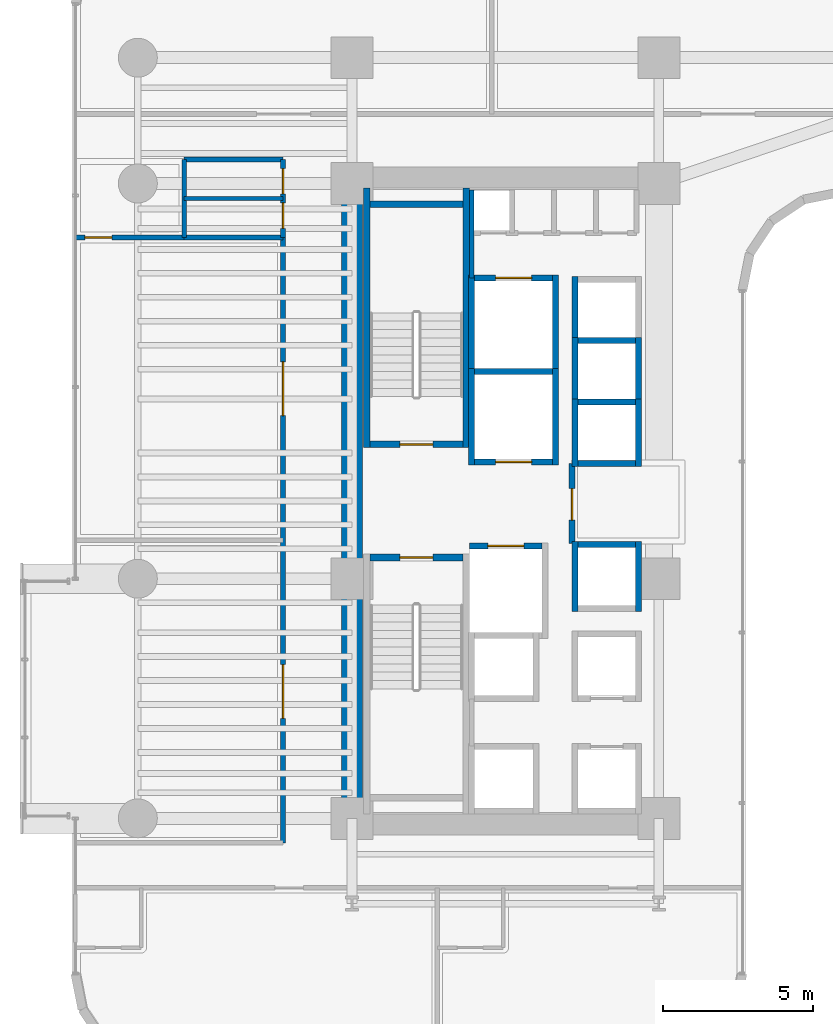
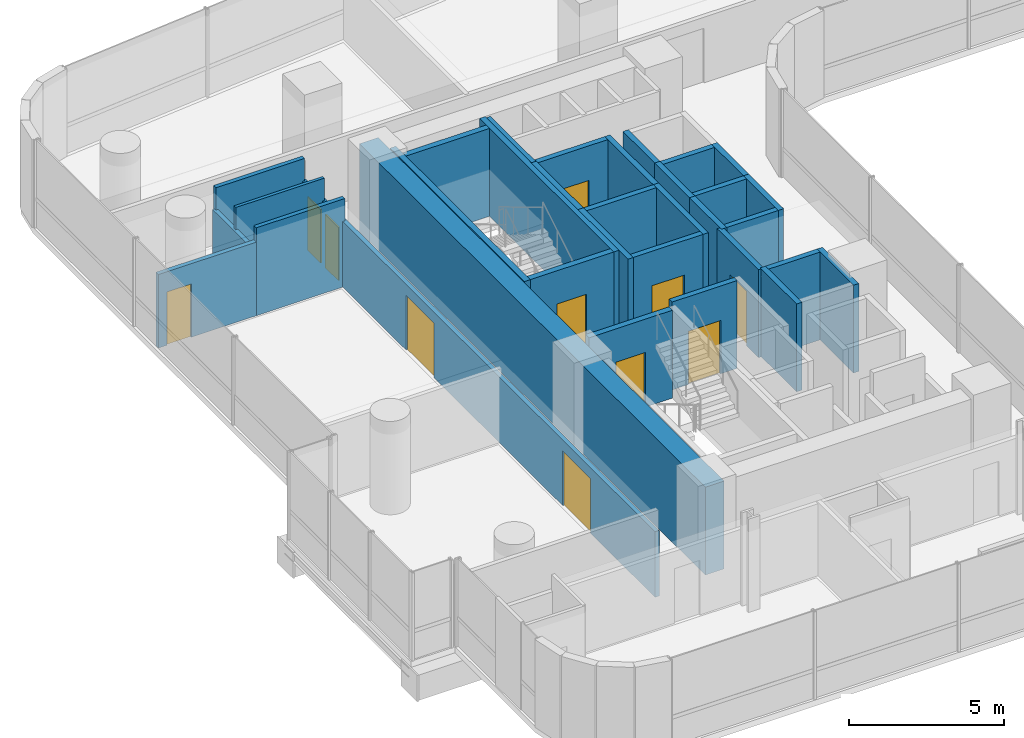
# One storey, part 31 of 41: 34 walls, 11 doors, 11 openings.
"""IFC4 building model written with IfcOpenShell, lengths in metres."""

from ifc_helpers import new_model, si_unit, direction, frame, frame_2d, origin, place, context, subcontext, project, spatial, rectangle, extrude, material, layer, layer_set, type_object, element, fill, save


model = new_model("IFC4")

# Units and contexts
model_context = context("Model", 3, precision=1e-05, world=origin(), true_north=direction((0.0, 1.0)))
body_context = subcontext(model_context, "Body", "Model", "MODEL_VIEW")
ifc_project = project(units=[si_unit("LENGTHUNIT", "METRE"), si_unit("AREAUNIT", "SQUARE_METRE"), si_unit("VOLUMEUNIT", "CUBIC_METRE"), si_unit("PLANEANGLEUNIT", "RADIAN"), si_unit("MASSUNIT", "GRAM", prefix="KILO")], contexts=[model_context])

# Site, building, storey
site_placement = place(None, origin())
site = spatial("IfcSite", under=ifc_project, at=site_placement, CompositionType="ELEMENT")
building_placement = place(site_placement, origin())
building = spatial("IfcBuilding", under=site, at=building_placement, Name="Valdorenza Pilgrim Sanctuary Tower", CompositionType="ELEMENT")
storey_placement = place(building_placement, frame((0.0, 0.0, 63.0)))
storey = spatial("IfcBuildingStorey", under=building, at=storey_placement, Name="L15", CompositionType="ELEMENT", Elevation=63.0)

# Walls
ifc_material_1 = material(Name="Acoustic twin-stud gypsum partition", Category="gypsum")
ifc_layer_1 = layer(ifc_material_1, 0.159912109375, Name="Acoustic twin-stud gypsum partition")
ifc_layer_set_1 = layer_set([ifc_layer_1], Name="Acoustic twin-stud gypsum partition")
wall_type_1 = type_object("IfcWallType", Name="WAL-COR-160", PredefinedType="PARTITIONING", material=ifc_layer_set_1)
wall_1_placement = place(storey_placement, frame((-18.64990234375, 7.449951171875, 0.0), z_axis=(0.0, 0.0, 1.0), x_axis=(0.0, 1.0, 0.0)))
element("IfcWall", 1, at=wall_1_placement, inside=storey, type_object=wall_type_1, Name="L15 Core A North Service West Wall", PredefinedType="PARTITIONING", context=body_context, shape_type="SweptSolid", body=[
    extrude(rectangle(XDim=2.929931640625, YDim=0.159912109375, at=frame_2d((1.46484375, 0.0))), origin(), (0.0, 0.0, 1.0), 3.4599609375),
])
wall_2_placement = place(storey_placement, frame((-28.25, 8.800048828125, 0.0), z_axis=(0.0, 0.0, 1.0), x_axis=(0.0, 1.0, 0.0)))
element("IfcWall", 2, at=wall_2_placement, inside=storey, type_object=wall_type_1, Name="L15 Washroom West Wall", PredefinedType="PARTITIONING", context=body_context, shape_type="SweptSolid", body=[
    extrude(rectangle(XDim=2.599853515625, YDim=0.159912109375, at=frame_2d((1.2998046875, 0.0))), origin(), (0.0, 0.0, 1.0), 2.5830078125),
])

# Wall, openings, doors
wall_3_placement = place(storey_placement, frame((-24.949951171875, 8.800048828125, 0.0), z_axis=(0.0, 0.0, 1.0), x_axis=(0.0, 1.0, 0.0)))
wall_3 = element("IfcWall", 3, at=wall_3_placement, inside=storey, type_object=wall_type_1, Name="L15 Washroom East Wall", PredefinedType="PARTITIONING", context=body_context, shape_type="SweptSolid", body=[
    extrude(rectangle(XDim=2.599853515625, YDim=0.159912109375, at=frame_2d((1.2998046875, 0.0))), origin(), (0.0, 0.0, 1.0), 2.5830078125),
])
opening_1_placement = place(wall_3_placement, frame((0.300048828125, 0.0, 0.0)))
opening_1 = element("IfcOpeningElement", 4, at=opening_1_placement, cuts=wall_3, Name="Opening DR-WC1", PredefinedType="OPENING", context=body_context, shape_type="SweptSolid", body=[
    extrude(rectangle(XDim=0.85009765625, YDim=2.10009765625, at=frame_2d((0.425048828125, 1.050048828125))), frame((0.0, 0.0947265625, 0.0), z_axis=(0.0, -1.0, 0.0), x_axis=(1.0, 0.0, 0.0)), (0.0, 0.0, 1.0), 0.189697265625),
])
opening_2_placement = place(wall_3_placement, frame((1.449951171875, 0.0, 0.0)))
opening_2 = element("IfcOpeningElement", 5, at=opening_2_placement, cuts=wall_3, Name="Opening DR-WC1", PredefinedType="OPENING", context=body_context, shape_type="SweptSolid", body=[
    extrude(rectangle(XDim=0.85009765625, YDim=2.10009765625, at=frame_2d((0.425048828125, 1.050048828125))), frame((0.0, 0.0947265625, 0.0), z_axis=(0.0, -1.0, 0.0), x_axis=(1.0, 0.0, 0.0)), (0.0, 0.0, 1.0), 0.189697265625),
])
ifc_material_2 = material(Name="Moisture-resistant lacquered timber", Category="wood")
door_type_1 = type_object("IfcDoorType", Name="DR-BATH-850", OperationType="NOTDEFINED", PredefinedType="DOOR", material=ifc_material_2)
door_1_placement = place(opening_1_placement, origin())
door_1 = element("IfcDoor", 6, at=door_1_placement, inside=storey, type_object=door_type_1, Name="L15 Accessible Washroom Door", OperationType="SINGLE_SWING_LEFT", OverallHeight=2.10009765625, OverallWidth=0.85009765625, PredefinedType="DOOR", context=body_context, shape_type="SweptSolid", body=[
    extrude(rectangle(XDim=0.85009765625, YDim=2.10009765625, at=frame_2d((0.425048828125, 1.050048828125))), frame((0.0, 0.02490234375, 0.0), z_axis=(0.0, -1.0, 0.0), x_axis=(1.0, 0.0, 0.0)), (0.0, 0.0, 1.0), 0.050048828125),
])
fill(opening_1, door_1)
door_2_placement = place(opening_2_placement, origin())
door_2 = element("IfcDoor", 7, at=door_2_placement, inside=storey, type_object=door_type_1, Name="L15 Public Washroom Door", OperationType="SINGLE_SWING_RIGHT", OverallHeight=2.10009765625, OverallWidth=0.85009765625, PredefinedType="DOOR", context=body_context, shape_type="SweptSolid", body=[
    extrude(rectangle(XDim=0.85009765625, YDim=2.10009765625, at=frame_2d((0.425048828125, 1.050048828125))), frame((0.0, 0.02490234375, 0.0), z_axis=(0.0, -1.0, 0.0), x_axis=(1.0, 0.0, 0.0)), (0.0, 0.0, 1.0), 0.050048828125),
])
fill(opening_2, door_2)

# Walls
for number, where, z_axis, x_axis, name in (
    (8, (-28.25, 8.800048828125, 0.0), (0.0, 0.0, 1.0), (1.0, 0.0, 0.0), "L15 Washroom South Wall"),
    (9, (-28.25, 11.39990234375, 0.0), (0.0, 0.0, 1.0), (1.0, 0.0, 0.0), "L15 Washroom North Wall"),
):
    element("IfcWall", number, at=place(storey_placement, frame(where, z_axis=z_axis, x_axis=x_axis)), inside=storey, type_object=wall_type_1, Name=name, PredefinedType="PARTITIONING", context=body_context, shape_type="SweptSolid", body=[
        extrude(rectangle(XDim=3.300048828125, YDim=0.159912109375, at=frame_2d((1.64990234375, 0.0))), origin(), (0.0, 0.0, 1.0), 3.4599609375),
    ])

# Wall, openings, doors
wall_4_placement = place(storey_placement, frame((-24.949951171875, -11.419921875, 0.0), z_axis=(0.0, 0.0, 1.0), x_axis=(0.0, 1.0, 0.0)))
wall_4 = element("IfcWall", 10, at=wall_4_placement, inside=storey, type_object=wall_type_1, Name="L15 West Wing Corridor Wall", PredefinedType="PARTITIONING", context=body_context, shape_type="SweptSolid", body=[
    extrude(rectangle(XDim=20.219970703125, YDim=0.159912109375, at=frame_2d((10.10986328125, 0.0))), origin(), (0.0, 0.0, 1.0), 2.5830078125),
])
opening_3_placement = place(wall_4_placement, frame((4.155029296875, 0.0, 0.0)))
opening_3 = element("IfcOpeningElement", 11, at=opening_3_placement, cuts=wall_4, Name="Opening DR-HL1", PredefinedType="OPENING", context=body_context, shape_type="SweptSolid", body=[
    extrude(rectangle(XDim=1.800048828125, YDim=2.14990234375, at=frame_2d((0.89990234375, 1.074951171875))), frame((0.0, 0.0947265625, 0.0), z_axis=(0.0, -1.0, 0.0), x_axis=(1.0, 0.0, 0.0)), (0.0, 0.0, 1.0), 0.189697265625),
])
opening_4_placement = place(wall_4_placement, frame((14.264892578125, 0.0, 0.0)))
opening_4 = element("IfcOpeningElement", 12, at=opening_4_placement, cuts=wall_4, Name="Opening DR-HL1", PredefinedType="OPENING", context=body_context, shape_type="SweptSolid", body=[
    extrude(rectangle(XDim=1.800048828125, YDim=2.14990234375, at=frame_2d((0.89990234375, 1.074951171875))), frame((0.0, 0.0947265625, 0.0), z_axis=(0.0, -1.0, 0.0), x_axis=(1.0, 0.0, 0.0)), (0.0, 0.0, 1.0), 0.189697265625),
])
ifc_material_3 = material(Name="Acoustic oak and vision-glass double door", Category="glass")
door_type_2 = type_object("IfcDoorType", Name="DR-HALL-1800", OperationType="NOTDEFINED", PredefinedType="DOOR", material=ifc_material_3)
door_3_placement = place(opening_3_placement, origin())
door_3 = element("IfcDoor", 13, at=door_3_placement, inside=storey, type_object=door_type_2, Name="L15 Theological Seminar Classroom L15-WH1 Door", OperationType="DOUBLE_DOOR_SINGLE_SWING", OverallHeight=2.14990234375, OverallWidth=1.800048828125, PredefinedType="DOOR", context=body_context, shape_type="SweptSolid", body=[
    extrude(rectangle(XDim=1.800048828125, YDim=2.14990234375, at=frame_2d((0.89990234375, 1.074951171875))), frame((0.0, 0.02490234375, 0.0), z_axis=(0.0, -1.0, 0.0), x_axis=(1.0, 0.0, 0.0)), (0.0, 0.0, 1.0), 0.050048828125),
])
fill(opening_3, door_3)
door_4_placement = place(opening_4_placement, frame((1.800048828125, 0.0, 0.0), z_axis=(0.0, 0.0, 1.0), x_axis=(-1.0, 0.0, 0.0)))
door_4 = element("IfcDoor", 14, at=door_4_placement, inside=storey, type_object=door_type_2, Name="L15 Theological Seminar Classroom L15-WH2 Door", OperationType="DOUBLE_DOOR_SINGLE_SWING", OverallHeight=2.14990234375, OverallWidth=1.800048828125, PredefinedType="DOOR", context=body_context, shape_type="SweptSolid", body=[
    extrude(rectangle(XDim=1.800048828125, YDim=2.14990234375, at=frame_2d((0.89990234375, 1.074951171875))), frame((0.0, 0.02490234375, 0.0), z_axis=(0.0, -1.0, 0.0), x_axis=(1.0, 0.0, 0.0)), (0.0, 0.0, 1.0), 0.050048828125),
])
fill(opening_4, door_4)

# Wall, opening, door
wall_5_placement = place(storey_placement, frame((-31.889892578125, 8.800048828125, 0.0), z_axis=(0.0, 0.0, 1.0), x_axis=(1.0, 0.0, 0.0)))
wall_5 = element("IfcWall", 15, at=wall_5_placement, inside=storey, type_object=wall_type_1, Name="L15 West North Alcove Wall", PredefinedType="PARTITIONING", context=body_context, shape_type="SweptSolid", body=[
    extrude(rectangle(XDim=3.639892578125, YDim=0.159912109375, at=frame_2d((1.81982421875, 0.0))), origin(), (0.0, 0.0, 1.0), 2.89599609375),
])
opening_5_placement = place(wall_5_placement, frame((0.320068359375, 0.0, 0.0)))
opening_5 = element("IfcOpeningElement", 16, at=opening_5_placement, cuts=wall_5, Name="Opening DR-RM1", PredefinedType="OPENING", context=body_context, shape_type="SweptSolid", body=[
    extrude(rectangle(XDim=0.89990234375, YDim=2.10009765625, at=frame_2d((0.449951171875, 1.050048828125))), frame((0.0, 0.0947265625, 0.0), z_axis=(0.0, -1.0, 0.0), x_axis=(1.0, 0.0, 0.0)), (0.0, 0.0, 1.0), 0.189697265625),
])
ifc_material_4 = material(Name="Solid-core European oak timber", Category="wood")
door_type_3 = type_object("IfcDoorType", Name="DR-ROOM-900", OperationType="NOTDEFINED", PredefinedType="DOOR", material=ifc_material_4)
door_5_placement = place(opening_5_placement, frame((0.89990234375, 0.0, 0.0), z_axis=(0.0, 0.0, 1.0), x_axis=(-1.0, 0.0, 0.0)))
door_5 = element("IfcDoor", 17, at=door_5_placement, inside=storey, type_object=door_type_3, Name="L15 Pilgrim Scholar Office L15-WN Door", OperationType="SINGLE_SWING_LEFT", OverallHeight=2.10009765625, OverallWidth=0.89990234375, PredefinedType="DOOR", context=body_context, shape_type="SweptSolid", body=[
    extrude(rectangle(XDim=0.89990234375, YDim=2.10009765625, at=frame_2d((0.449951171875, 1.050048828125))), frame((0.0, 0.02490234375, 0.0), z_axis=(0.0, -1.0, 0.0), x_axis=(1.0, 0.0, 0.0)), (0.0, 0.0, 1.0), 0.050048828125),
])
fill(opening_5, door_5)

# Wall
ifc_material_5 = material(Name="Concrete C60/75", Category="concrete")
ifc_layer_2 = layer(ifc_material_5, 0.699951171875, Name="Concrete C60/75")
ifc_layer_set_2 = layer_set([ifc_layer_2], Name="Concrete C60/75")
wall_type_2 = type_object("IfcWallType", Name="WAL-COR-700", PredefinedType="SHEAR", material=ifc_layer_set_2)
wall_6_placement = place(storey_placement, frame((-22.64990234375, -11.14990234375, 0.0), z_axis=(0.0, 0.0, 1.0), x_axis=(0.0, 1.0, 0.0)))
element("IfcWall", 18, at=wall_6_placement, inside=storey, type_object=wall_type_2, Name="L15 Split Core A Shear Wall W", PredefinedType="SHEAR", context=body_context, shape_type="SweptSolid", body=[
    extrude(rectangle(XDim=22.2998046875, YDim=0.699951171875, at=frame_2d((11.14990234375, 0.0))), origin(), (0.0, 0.0, 1.0), 3.4599609375),
])

# Wall, opening, door
ifc_material_6 = material(Name="Gypsum shaftwall partition", Category="gypsum")
ifc_layer_3 = layer(ifc_material_6, 0.199951171875, Name="Gypsum shaftwall partition")
ifc_layer_set_3 = layer_set([ifc_layer_3], Name="Gypsum shaftwall partition")
wall_type_3 = type_object("IfcWallType", Name="WAL-FFL-200", PredefinedType="PARTITIONING", material=ifc_layer_set_3)
wall_7_placement = place(storey_placement, frame((-15.300048828125, -1.419921875, 0.0), z_axis=(0.0, 0.0, 1.0), x_axis=(0.0, 1.0, 0.0)))
wall_7 = element("IfcWall", 19, at=wall_7_placement, inside=storey, type_object=wall_type_3, Name="L15 Core A Firefighting Lobby East Wall", PredefinedType="PARTITIONING", context=body_context, shape_type="SweptSolid", body=[
    extrude(rectangle(XDim=2.669921875, YDim=0.199951171875, at=frame_2d((1.3349609375, 0.0))), origin(), (0.0, 0.0, 1.0), 3.4599609375),
])
opening_6_placement = place(wall_7_placement, frame((0.780029296875, 0.0, 0.0)))
opening_6 = element("IfcOpeningElement", 20, at=opening_6_placement, cuts=wall_7, Name="Opening DR-FL1", PredefinedType="OPENING", context=body_context, shape_type="SweptSolid", body=[
    extrude(rectangle(XDim=1.050048828125, YDim=2.14990234375, at=frame_2d((0.52490234375, 1.074951171875))), frame((0.0, 0.11474609375, 0.0), z_axis=(0.0, -1.0, 0.0), x_axis=(1.0, 0.0, 0.0)), (0.0, 0.0, 1.0), 0.229736328125),
])
ifc_material_7 = material(Name="Painted galvanized steel", Category="steel")
door_type_4 = type_object("IfcDoorType", Name="DR-FFL-1050", OperationType="NOTDEFINED", PredefinedType="DOOR", material=ifc_material_7)
door_6_placement = place(opening_6_placement, origin())
door_6 = element("IfcDoor", 21, at=door_6_placement, inside=storey, type_object=door_type_4, Name="L15 Core A Firefighting Lobby Door", OperationType="SINGLE_SWING_RIGHT", OverallHeight=2.14990234375, OverallWidth=1.050048828125, PredefinedType="DOOR", context=body_context, shape_type="SweptSolid", body=[
    extrude(rectangle(XDim=1.050048828125, YDim=2.14990234375, at=frame_2d((0.52490234375, 1.074951171875))), frame((0.0, 0.02490234375, 0.0), z_axis=(0.0, -1.0, 0.0), x_axis=(1.0, 0.0, 0.0)), (0.0, 0.0, 1.0), 0.050048828125),
])
fill(opening_6, door_6)

# Walls
ifc_material_8 = material(Name="Moisture-resistant gypsum partition", Category="gypsum")
ifc_layer_4 = layer(ifc_material_8, 0.1201171875, Name="Moisture-resistant gypsum partition")
ifc_layer_set_4 = layer_set([ifc_layer_4], Name="Moisture-resistant gypsum partition")
wall_type_4 = type_object("IfcWallType", Name="WAL-INT-120", PredefinedType="PARTITIONING", material=ifc_layer_set_4)
wall_8_placement = place(storey_placement, frame((-28.25, 10.10009765625, 0.0), z_axis=(0.0, 0.0, 1.0), x_axis=(1.0, 0.0, 0.0)))
element("IfcWall", 22, at=wall_8_placement, inside=storey, type_object=wall_type_4, Name="L15 Washroom Divider Wall", PredefinedType="PARTITIONING", context=body_context, shape_type="SweptSolid", body=[
    extrude(rectangle(XDim=3.300048828125, YDim=0.1201171875, at=frame_2d((1.64990234375, 0.0))), origin(), (0.0, 0.0, 1.0), 3.4599609375),
])
ifc_material_9 = material(Name="Autoclaved aerated concrete blockwork", Category="masonry")
ifc_layer_5 = layer(ifc_material_9, 0.199951171875, Name="Autoclaved aerated concrete blockwork")
ifc_layer_set_5 = layer_set([ifc_layer_5], Name="Autoclaved aerated concrete blockwork")
wall_type_5 = type_object("IfcWallType", Name="WAL-SHF-200", PredefinedType="MOVABLE", material=ifc_layer_set_5)
for number, where, z_axis, x_axis, name in (
    (23, (-18.64990234375, 1.199951171875, 0.0), (0.0, 0.0, 1.0), (0.0, 1.0, 0.0), "L15 Lift FFL-01 Hoistway Wall West"),
    (24, (-15.85009765625, 1.199951171875, 0.0), (0.0, 0.0, 1.0), (0.0, 1.0, 0.0), "L15 Lift FFL-01 Hoistway Wall East"),
):
    element("IfcWall", number, at=place(storey_placement, frame(where, z_axis=z_axis, x_axis=x_axis)), inside=storey, type_object=wall_type_5, Name=name, PredefinedType="MOVABLE", context=body_context, shape_type="SweptSolid", body=[
        extrude(rectangle(XDim=3.22509765625, YDim=0.199951171875, at=frame_2d((1.612548828125, 0.0))), origin(), (0.0, 0.0, 1.0), 3.4599609375),
    ])

# Wall, opening, door
wall_9_placement = place(storey_placement, frame((-18.550048828125, 1.300048828125, 0.0), z_axis=(0.0, 0.0, 1.0), x_axis=(1.0, 0.0, 0.0)))
wall_9 = element("IfcWall", 25, at=wall_9_placement, inside=storey, type_object=wall_type_5, Name="L15 Lift FFL-01 Hoistway Wall South", PredefinedType="MOVABLE", context=body_context, shape_type="SweptSolid", body=[
    extrude(rectangle(XDim=2.60009765625, YDim=0.199951171875, at=frame_2d((1.300048828125, 0.0))), origin(), (0.0, 0.0, 1.0), 3.4599609375),
])
opening_7_placement = place(wall_9_placement, frame((0.699951171875, 0.0, 0.0)))
opening_7 = element("IfcOpeningElement", 26, at=opening_7_placement, cuts=wall_9, Name="Opening LD-02", PredefinedType="OPENING", context=body_context, shape_type="SweptSolid", body=[
    extrude(rectangle(XDim=1.199951171875, YDim=2.10009765625, at=frame_2d((0.60009765625, 1.050048828125))), frame((0.0, 0.11474609375, 0.0), z_axis=(0.0, -1.0, 0.0), x_axis=(1.0, 0.0, 0.0)), (0.0, 0.0, 1.0), 0.229736328125),
])
ifc_material_10 = material(Name="Brushed stainless steel Grade 316", Category="steel")
door_type_5 = type_object("IfcDoorType", Name="DR-LFT-1200", OperationType="DOUBLE_DOOR_SLIDING", PredefinedType="DOOR", material=ifc_material_10)
door_7_placement = place(opening_7_placement, origin())
door_7 = element("IfcDoor", 27, at=door_7_placement, inside=storey, type_object=door_type_5, Name="L15 Lift FFL-01 Sliding Landing Door", OperationType="DOUBLE_DOOR_SLIDING", OverallHeight=2.10009765625, OverallWidth=1.199951171875, PredefinedType="DOOR", context=body_context, shape_type="SweptSolid", body=[
    extrude(rectangle(XDim=1.199951171875, YDim=2.10009765625, at=frame_2d((0.60009765625, 1.050048828125))), frame((0.0, 0.02490234375, 0.0), z_axis=(0.0, -1.0, 0.0), x_axis=(1.0, 0.0, 0.0)), (0.0, 0.0, 1.0), 0.050048828125),
])
fill(opening_7, door_7)

# Wall
wall_10_placement = place(storey_placement, frame((-18.550048828125, 4.324951171875, 0.0), z_axis=(0.0, 0.0, 1.0), x_axis=(1.0, 0.0, 0.0)))
element("IfcWall", 28, at=wall_10_placement, inside=storey, type_object=wall_type_5, Name="L15 Lift FFL-01 Hoistway Wall North", PredefinedType="MOVABLE", context=body_context, shape_type="SweptSolid", body=[
    extrude(rectangle(XDim=2.60009765625, YDim=0.199951171875, at=frame_2d((1.300048828125, 0.0))), origin(), (0.0, 0.0, 1.0), 3.4599609375),
])

# Wall, opening, door
wall_11_placement = place(storey_placement, frame((-18.719970703125, -1.5, 0.0), z_axis=(0.0, 0.0, 1.0), x_axis=(1.0, 0.0, 0.0)))
wall_11 = element("IfcWall", 29, at=wall_11_placement, inside=storey, type_object=wall_type_5, Name="L15 Lift FFL-02 Hoistway Wall North", PredefinedType="MOVABLE", context=body_context, shape_type="SweptSolid", body=[
    extrude(rectangle(XDim=2.419921875, YDim=0.199951171875, at=frame_2d((1.2099609375, 0.0))), origin(), (0.0, 0.0, 1.0), 3.4599609375),
])
opening_8_placement = place(wall_11_placement, frame((0.610107421875, 0.0, 0.0)))
opening_8 = element("IfcOpeningElement", 30, at=opening_8_placement, cuts=wall_11, Name="Opening LD-02", PredefinedType="OPENING", context=body_context, shape_type="SweptSolid", body=[
    extrude(rectangle(XDim=1.199951171875, YDim=2.10009765625, at=frame_2d((0.60009765625, 1.050048828125))), frame((0.0, 0.11474609375, 0.0), z_axis=(0.0, -1.0, 0.0), x_axis=(1.0, 0.0, 0.0)), (0.0, 0.0, 1.0), 0.229736328125),
])
door_8_placement = place(opening_8_placement, origin())
door_8 = element("IfcDoor", 31, at=door_8_placement, inside=storey, type_object=door_type_5, Name="L15 Lift FFL-02 Sliding Landing Door", OperationType="DOUBLE_DOOR_SLIDING", OverallHeight=2.10009765625, OverallWidth=1.199951171875, PredefinedType="DOOR", context=body_context, shape_type="SweptSolid", body=[
    extrude(rectangle(XDim=1.199951171875, YDim=2.10009765625, at=frame_2d((0.60009765625, 1.050048828125))), frame((0.0, 0.02490234375, 0.0), z_axis=(0.0, -1.0, 0.0), x_axis=(1.0, 0.0, 0.0)), (0.0, 0.0, 1.0), 0.050048828125),
])
fill(opening_8, door_8)

# Walls
for number, where, z_axis, x_axis, name in (
    (32, (-18.64990234375, 4.22509765625, 0.0), (0.0, 0.0, 1.0), (0.0, 1.0, 0.0), "L15 Lift SVL-01 Hoistway Wall West"),
    (33, (-15.85009765625, 4.22509765625, 0.0), (0.0, 0.0, 1.0), (0.0, 1.0, 0.0), "L15 Lift SVL-01 Hoistway Wall East"),
):
    element("IfcWall", number, at=place(storey_placement, frame(where, z_axis=z_axis, x_axis=x_axis)), inside=storey, type_object=wall_type_5, Name=name, PredefinedType="MOVABLE", context=body_context, shape_type="SweptSolid", body=[
        extrude(rectangle(XDim=3.324951171875, YDim=0.199951171875, at=frame_2d((1.66259765625, 0.0))), origin(), (0.0, 0.0, 1.0), 3.4599609375),
    ])

# Wall, opening, door
wall_12_placement = place(storey_placement, frame((-18.550048828125, 7.449951171875, 0.0), z_axis=(0.0, 0.0, 1.0), x_axis=(1.0, 0.0, 0.0)))
wall_12 = element("IfcWall", 34, at=wall_12_placement, inside=storey, type_object=wall_type_5, Name="L15 Lift SVL-01 Hoistway Wall North", PredefinedType="MOVABLE", context=body_context, shape_type="SweptSolid", body=[
    extrude(rectangle(XDim=2.60009765625, YDim=0.199951171875, at=frame_2d((1.300048828125, 0.0))), origin(), (0.0, 0.0, 1.0), 3.4599609375),
])
opening_9_placement = place(wall_12_placement, frame((0.699951171875, 0.0, 0.0)))
opening_9 = element("IfcOpeningElement", 35, at=opening_9_placement, cuts=wall_12, Name="Opening LD-02", PredefinedType="OPENING", context=body_context, shape_type="SweptSolid", body=[
    extrude(rectangle(XDim=1.199951171875, YDim=2.10009765625, at=frame_2d((0.60009765625, 1.050048828125))), frame((0.0, 0.11474609375, 0.0), z_axis=(0.0, -1.0, 0.0), x_axis=(1.0, 0.0, 0.0)), (0.0, 0.0, 1.0), 0.229736328125),
])
door_9_placement = place(opening_9_placement, origin())
door_9 = element("IfcDoor", 36, at=door_9_placement, inside=storey, type_object=door_type_5, Name="L15 Lift SVL-01 Sliding Landing Door", OperationType="DOUBLE_DOOR_SLIDING", OverallHeight=2.10009765625, OverallWidth=1.199951171875, PredefinedType="DOOR", context=body_context, shape_type="SweptSolid", body=[
    extrude(rectangle(XDim=1.199951171875, YDim=2.10009765625, at=frame_2d((0.60009765625, 1.050048828125))), frame((0.0, 0.02490234375, 0.0), z_axis=(0.0, -1.0, 0.0), x_axis=(1.0, 0.0, 0.0)), (0.0, 0.0, 1.0), 0.050048828125),
])
fill(opening_9, door_9)

# Walls
for number, where, z_axis, x_axis, name in (
    (37, (-15.199951171875, 1.14990234375, 0.0), (0.0, 0.0, 1.0), (0.0, 1.0, 0.0), "L15 Lift PL-06 Hoistway Wall West"),
    (38, (-13.080078125, 1.14990234375, 0.0), (0.0, 0.0, 1.0), (0.0, 1.0, 0.0), "L15 Lift PL-06 Hoistway Wall East"),
):
    element("IfcWall", number, at=place(storey_placement, frame(where, z_axis=z_axis, x_axis=x_axis)), inside=storey, type_object=wall_type_5, Name=name, PredefinedType="MOVABLE", context=body_context, shape_type="SweptSolid", body=[
        extrude(rectangle(XDim=2.25, YDim=0.199951171875, at=frame_2d((1.125, 0.0))), origin(), (0.0, 0.0, 1.0), 3.4599609375),
    ])
wall_13_placement = place(storey_placement, frame((-15.10009765625, 1.25, 0.0), z_axis=(0.0, 0.0, 1.0), x_axis=(1.0, 0.0, 0.0)))
element("IfcWall", 39, at=wall_13_placement, inside=storey, type_object=wall_type_5, Name="L15 Lift PL-06 Hoistway Wall South", PredefinedType="MOVABLE", context=body_context, shape_type="SweptSolid", body=[
    extrude(rectangle(XDim=1.920166015625, YDim=0.199951171875, at=frame_2d((0.9599609375, 0.0))), origin(), (0.0, 0.0, 1.0), 3.4599609375),
])
for number, where, z_axis, x_axis, name in (
    (40, (-15.199951171875, 3.199951171875, 0.0), (0.0, 0.0, 1.0), (0.0, 1.0, 0.0), "L15 Lift PL-09 Hoistway Wall West"),
    (41, (-13.080078125, 3.199951171875, 0.0), (0.0, 0.0, 1.0), (0.0, 1.0, 0.0), "L15 Lift PL-09 Hoistway Wall East"),
):
    element("IfcWall", number, at=place(storey_placement, frame(where, z_axis=z_axis, x_axis=x_axis)), inside=storey, type_object=wall_type_5, Name=name, PredefinedType="MOVABLE", context=body_context, shape_type="SweptSolid", body=[
        extrude(rectangle(XDim=2.25, YDim=0.199951171875, at=frame_2d((1.125, 0.0))), origin(), (0.0, 0.0, 1.0), 3.4599609375),
    ])
for number, where, z_axis, x_axis, name in (
    (42, (-15.10009765625, 3.300048828125, 0.0), (0.0, 0.0, 1.0), (1.0, 0.0, 0.0), "L15 Lift PL-09 Hoistway Wall South"),
    (43, (-15.10009765625, 5.35009765625, 0.0), (0.0, 0.0, 1.0), (1.0, 0.0, 0.0), "L15 Lift PL-09 Hoistway Wall North"),
):
    element("IfcWall", number, at=place(storey_placement, frame(where, z_axis=z_axis, x_axis=x_axis)), inside=storey, type_object=wall_type_5, Name=name, PredefinedType="MOVABLE", context=body_context, shape_type="SweptSolid", body=[
        extrude(rectangle(XDim=1.920166015625, YDim=0.199951171875, at=frame_2d((0.9599609375, 0.0))), origin(), (0.0, 0.0, 1.0), 3.4599609375),
    ])
wall_14_placement = place(storey_placement, frame((-15.199951171875, 5.25, 0.0), z_axis=(0.0, 0.0, 1.0), x_axis=(0.0, 1.0, 0.0)))
element("IfcWall", 44, at=wall_14_placement, inside=storey, type_object=wall_type_5, Name="L15 Lift PL-10 Hoistway Wall West", PredefinedType="MOVABLE", context=body_context, shape_type="SweptSolid", body=[
    extrude(rectangle(XDim=2.25, YDim=0.199951171875, at=frame_2d((1.125, 0.0))), origin(), (0.0, 0.0, 1.0), 3.4599609375),
])
for number, where, z_axis, x_axis, name in (
    (45, (-15.199951171875, -3.699951171875, 0.0), (0.0, 0.0, 1.0), (0.0, 1.0, 0.0), "L15 Lift PL-12 Hoistway Wall West"),
    (46, (-13.080078125, -3.699951171875, 0.0), (0.0, 0.0, 1.0), (0.0, 1.0, 0.0), "L15 Lift PL-12 Hoistway Wall East"),
):
    element("IfcWall", number, at=place(storey_placement, frame(where, z_axis=z_axis, x_axis=x_axis)), inside=storey, type_object=wall_type_5, Name=name, PredefinedType="MOVABLE", context=body_context, shape_type="SweptSolid", body=[
        extrude(rectangle(XDim=2.349853515625, YDim=0.199951171875, at=frame_2d((1.1748046875, 0.0))), origin(), (0.0, 0.0, 1.0), 3.4599609375),
    ])
wall_15_placement = place(storey_placement, frame((-15.10009765625, -1.449951171875, 0.0), z_axis=(0.0, 0.0, 1.0), x_axis=(1.0, 0.0, 0.0)))
element("IfcWall", 47, at=wall_15_placement, inside=storey, type_object=wall_type_5, Name="L15 Lift PL-12 Hoistway Wall North", PredefinedType="MOVABLE", context=body_context, shape_type="SweptSolid", body=[
    extrude(rectangle(XDim=1.920166015625, YDim=0.199951171875, at=frame_2d((0.9599609375, 0.0))), origin(), (0.0, 0.0, 1.0), 3.4599609375),
])
ifc_material_11 = material(Name="Concrete C40/50", Category="concrete")
ifc_layer_6 = layer(ifc_material_11, 0.219970703125, Name="Concrete C40/50")
ifc_layer_set_6 = layer_set([ifc_layer_6], Name="Concrete C40/50")
wall_type_6 = type_object("IfcWallType", Name="WAL-STR-SHF-220", PredefinedType="SHEAR", material=ifc_layer_set_6)
for number, where, z_axis, x_axis, name in (
    (48, (-22.159912109375, 1.780029296875, 0.0), (0.0, 0.0, 1.0), (0.0, 1.0, 0.0), "L15 ST-A1 Structural Stairwell Wall W"),
    (49, (-18.830078125, 1.780029296875, 0.0), (0.0, 0.0, 1.0), (0.0, 1.0, 0.0), "L15 ST-A1 Structural Stairwell Wall E"),
):
    element("IfcWall", number, at=place(storey_placement, frame(where, z_axis=z_axis, x_axis=x_axis)), inside=storey, type_object=wall_type_6, Name=name, PredefinedType="SHEAR", context=body_context, shape_type="SweptSolid", body=[
        extrude(rectangle(XDim=8.669921875, YDim=0.219970703125, at=frame_2d((4.3349609375, 0.0))), origin(), (0.0, 0.0, 1.0), 3.4599609375),
    ])

# Wall, opening, door
wall_16_placement = place(storey_placement, frame((-22.050048828125, 1.889892578125, 0.0), z_axis=(0.0, 0.0, 1.0), x_axis=(1.0, 0.0, 0.0)))
wall_16 = element("IfcWall", 50, at=wall_16_placement, inside=storey, type_object=wall_type_6, Name="L15 ST-A1 Structural Stairwell Wall S", PredefinedType="SHEAR", context=body_context, shape_type="SweptSolid", body=[
    extrude(rectangle(XDim=3.110107421875, YDim=0.219970703125, at=frame_2d((1.55517578125, 0.0))), origin(), (0.0, 0.0, 1.0), 3.4599609375),
])
opening_10_placement = place(wall_16_placement, frame((1.0, 0.0, 0.0)))
opening_10 = element("IfcOpeningElement", 51, at=opening_10_placement, cuts=wall_16, Name="Opening DR-ST1", PredefinedType="OPENING", context=body_context, shape_type="SweptSolid", body=[
    extrude(rectangle(XDim=1.10009765625, YDim=2.14990234375, at=frame_2d((0.550048828125, 1.074951171875))), frame((0.0, 0.125, 0.0), z_axis=(0.0, -1.0, 0.0), x_axis=(1.0, 0.0, 0.0)), (0.0, 0.0, 1.0), 0.249755859375),
])
door_type_6 = type_object("IfcDoorType", Name="DR-STAIR-1100", OperationType="NOTDEFINED", PredefinedType="DOOR", material=ifc_material_7)
door_10_placement = place(opening_10_placement, frame((1.10009765625, 0.0, 0.0), z_axis=(0.0, 0.0, 1.0), x_axis=(-1.0, 0.0, 0.0)))
door_10 = element("IfcDoor", 52, at=door_10_placement, inside=storey, type_object=door_type_6, Name="L15 Exit Stair ST-A1 Door", OperationType="SINGLE_SWING_LEFT", OverallHeight=2.14990234375, OverallWidth=1.10009765625, PredefinedType="DOOR", context=body_context, shape_type="SweptSolid", body=[
    extrude(rectangle(XDim=1.10009765625, YDim=2.14990234375, at=frame_2d((0.550048828125, 1.074951171875))), frame((0.0, 0.02490234375, 0.0), z_axis=(0.0, -1.0, 0.0), x_axis=(1.0, 0.0, 0.0)), (0.0, 0.0, 1.0), 0.050048828125),
])
fill(opening_10, door_10)

# Wall
wall_17_placement = place(storey_placement, frame((-22.050048828125, 9.909912109375, 0.0), z_axis=(0.0, 0.0, 1.0), x_axis=(1.0, 0.0, 0.0)))
element("IfcWall", 53, at=wall_17_placement, inside=storey, type_object=wall_type_6, Name="L15 ST-A1 Structural Stairwell Wall N", PredefinedType="SHEAR", context=body_context, shape_type="SweptSolid", body=[
    extrude(rectangle(XDim=3.110107421875, YDim=0.219970703125, at=frame_2d((1.55517578125, 0.0))), origin(), (0.0, 0.0, 1.0), 3.4599609375),
])

# Wall, opening, door
wall_18_placement = place(storey_placement, frame((-22.050048828125, -1.889892578125, 0.0), z_axis=(0.0, 0.0, 1.0), x_axis=(1.0, 0.0, 0.0)))
wall_18 = element("IfcWall", 54, at=wall_18_placement, inside=storey, type_object=wall_type_6, Name="L15 ST-A2 Structural Stairwell Wall N", PredefinedType="SHEAR", context=body_context, shape_type="SweptSolid", body=[
    extrude(rectangle(XDim=3.110107421875, YDim=0.219970703125, at=frame_2d((1.55517578125, 0.0))), origin(), (0.0, 0.0, 1.0), 3.4599609375),
])
opening_11_placement = place(wall_18_placement, frame((1.0, 0.0, 0.0)))
opening_11 = element("IfcOpeningElement", 55, at=opening_11_placement, cuts=wall_18, Name="Opening DR-ST1", PredefinedType="OPENING", context=body_context, shape_type="SweptSolid", body=[
    extrude(rectangle(XDim=1.10009765625, YDim=2.14990234375, at=frame_2d((0.550048828125, 1.074951171875))), frame((0.0, 0.125, 0.0), z_axis=(0.0, -1.0, 0.0), x_axis=(1.0, 0.0, 0.0)), (0.0, 0.0, 1.0), 0.249755859375),
])
door_11_placement = place(opening_11_placement, origin())
door_11 = element("IfcDoor", 56, at=door_11_placement, inside=storey, type_object=door_type_6, Name="L15 Exit Stair ST-A2 Door", OperationType="SINGLE_SWING_RIGHT", OverallHeight=2.14990234375, OverallWidth=1.10009765625, PredefinedType="DOOR", context=body_context, shape_type="SweptSolid", body=[
    extrude(rectangle(XDim=1.10009765625, YDim=2.14990234375, at=frame_2d((0.550048828125, 1.074951171875))), frame((0.0, 0.02490234375, 0.0), z_axis=(0.0, -1.0, 0.0), x_axis=(1.0, 0.0, 0.0)), (0.0, 0.0, 1.0), 0.050048828125),
])
fill(opening_11, door_11)

save(model, "model.ifc")
